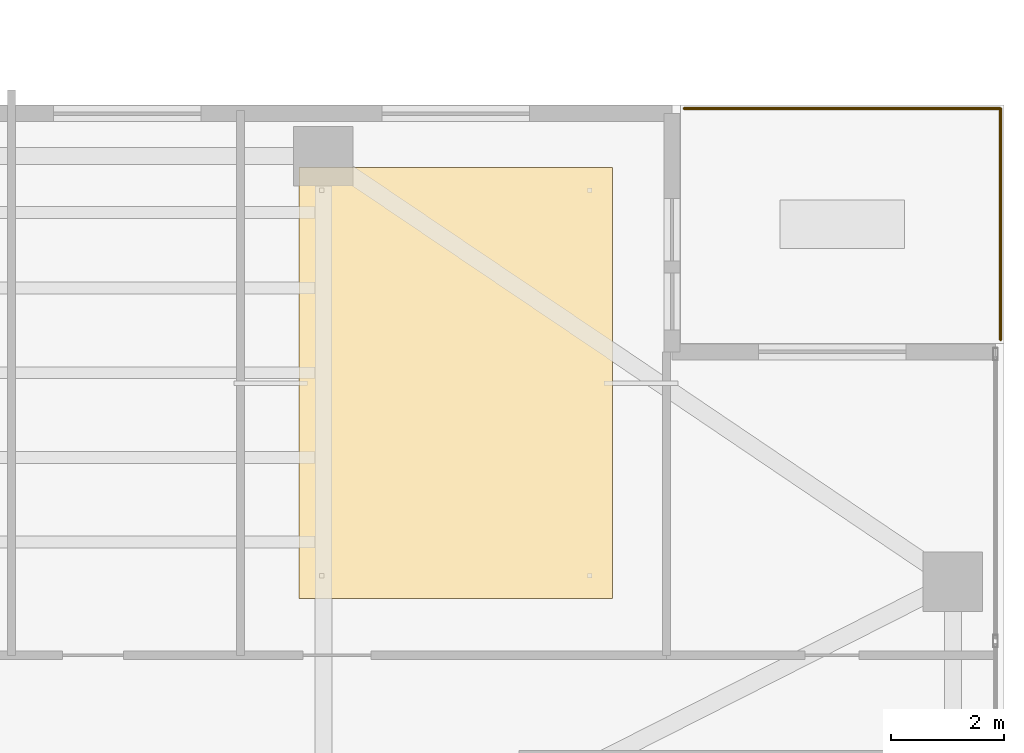
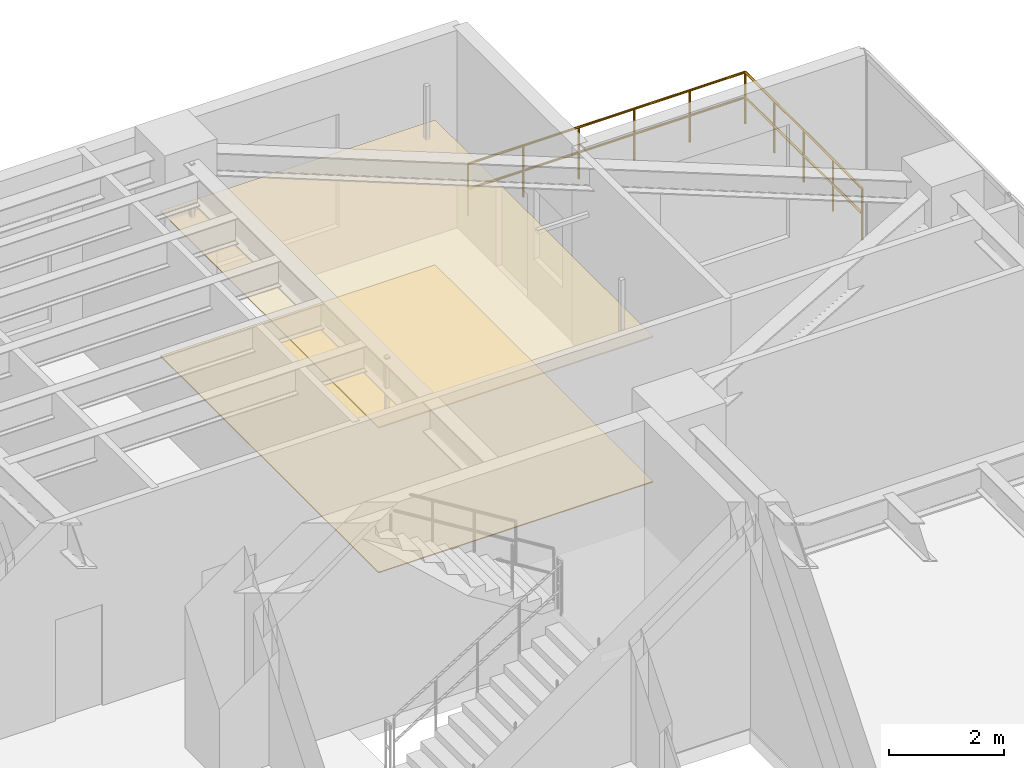
# One storey, part 38 of 38: 2 coverings, 2 railings.
"""IFC4 building model written with IfcOpenShell, lengths in metres."""

import ifcopenshell
import ifcopenshell.guid

model = None  # the IFC model being written
_history = None  # IfcOwnerHistory: only IFC2X3 demands one
_inside = {}  # id of a spatial element -> (the spatial element, [elements in it])
_under = {}  # id of a project, library or spatial element -> (it, [spatial elements below it])
_declared = {}  # id of a project -> (the project, [libraries it declares])
_typed = {}  # id of a type object -> (the type object, [elements of that type])
_made_of = {}  # id of a material, layer set ... -> (it, [elements and type objects made of it])


def new_model(schema):
    """Start an empty IFC model of exactly this schema.

    Asked for "IFC4X3", IfcOpenShell would pick the latest addendum, in which some entities
    have other attributes; the version numbers below select the first issue.
    IFC2X3 requires an IfcOwnerHistory on every rooted entity: one is made here for all.
    """
    global model, _history
    if schema == "IFC4X3":
        model = ifcopenshell.file(schema_version=(4, 3, 0, 0))
    else:
        model = ifcopenshell.file(schema=schema)
    _inside.clear()
    _under.clear()
    _declared.clear()
    _typed.clear()
    _made_of.clear()
    _history = None
    if model.schema == "IFC2X3":
        org = make("IfcOrganization", Name="unknown")
        user = make(
            "IfcPersonAndOrganization",
            ThePerson=make("IfcPerson", FamilyName="unknown"),
            TheOrganization=org,
        )
        app = make(
            "IfcApplication",
            ApplicationDeveloper=org,
            Version="unknown",
            ApplicationFullName="unknown",
            ApplicationIdentifier="unknown",
        )
        _history = make(
            "IfcOwnerHistory",
            OwningUser=user,
            OwningApplication=app,
            ChangeAction="ADDED",
            CreationDate=0,
        )
    return model


def make(cls, **values):
    """One entity of the class cls with the attributes given. An attribute that is None is left unset."""
    return model.create_entity(
        cls, **{name: value for name, value in values.items() if value is not None}
    )


def rooted(cls, **values):
    """An entity with a GlobalId (a new one), such as an element, a storey or a relation."""
    return make(cls, GlobalId=ifcopenshell.guid.new(), OwnerHistory=_history, **values)


def si_unit(unit_type, name, prefix=None):
    """IfcSIUnit, for example si_unit("LENGTHUNIT", "METRE", prefix="MILLI")."""
    return make("IfcSIUnit", UnitType=unit_type, Prefix=prefix, Name=name)


def assignment(units):
    """IfcUnitAssignment: the units of a project."""
    return None if units is None else make("IfcUnitAssignment", Units=units)


def point(xyz):
    """IfcCartesianPoint."""
    return None if xyz is None else make("IfcCartesianPoint", Coordinates=xyz)


def direction(xyz):
    """IfcDirection."""
    return None if xyz is None else make("IfcDirection", DirectionRatios=xyz)


def frame(location, z_axis=None, x_axis=None):
    """IfcAxis2Placement3D, a coordinate frame: its origin and axes. An axis left out is left unset."""
    return make(
        "IfcAxis2Placement3D",
        Location=point(location),
        Axis=direction(z_axis),
        RefDirection=direction(x_axis),
    )


def frame_2d(location, x_axis=None):
    """IfcAxis2Placement2D, a coordinate frame in the plane: its origin and x axis."""
    return make(
        "IfcAxis2Placement2D", Location=point(location), RefDirection=direction(x_axis)
    )


def origin():
    """The frame at (0, 0, 0) with its axes left unset."""
    return frame((0.0, 0.0, 0.0))


def origin_2d():
    """The frame at (0, 0) in the plane with its x axis left unset."""
    return frame_2d((0.0, 0.0))


def place(relative_to, where):
    """IfcLocalPlacement: puts the frame where relative to a parent placement (None: the world)."""
    return make(
        "IfcLocalPlacement", PlacementRelTo=relative_to, RelativePlacement=where
    )


def context(
    kind, dimensions, precision=None, world=None, true_north=None, identifier=None
):
    """IfcGeometricRepresentationContext, for example the 3D "Model" context."""
    return make(
        "IfcGeometricRepresentationContext",
        ContextIdentifier=identifier,
        ContextType=kind,
        CoordinateSpaceDimension=dimensions,
        Precision=precision,
        WorldCoordinateSystem=world,
        TrueNorth=true_north,
    )


def subcontext(parent, identifier, kind, view, scale=None):
    """IfcGeometricRepresentationSubContext, for example "Body" below "Model"."""
    return make(
        "IfcGeometricRepresentationSubContext",
        ContextIdentifier=identifier,
        ContextType=kind,
        ParentContext=parent,
        TargetScale=scale,
        TargetView=view,
    )


def project(units=None, contexts=None):
    """IfcProject with its units and contexts."""
    return rooted(
        "IfcProject",
        Name="project",
        RepresentationContexts=contexts,
        UnitsInContext=assignment(units),
    )


def spatial(cls, under=None, at=None, **own):
    """A site, building, storey or space (cls), placed at a placement, below another one or the project."""
    s = rooted(cls, ObjectPlacement=at, **own)
    if under is not None:
        _under.setdefault(under.id(), (under, []))[1].append(s)
    return s


def polyline(points):
    """IfcPolyline through the points."""
    return make("IfcPolyline", Points=[point(p) for p in points])


def profile(cls, at=None, kind="AREA", **sizes):
    """A parametric profile (cls). Its sizes go by their IFC names, for example OverallWidth=200.0."""
    return make(cls, ProfileType=kind, Position=at, **sizes)


def circle(**sizes):
    """IfcCircleProfileDef."""
    return profile("IfcCircleProfileDef", **sizes)


def outline(outer, holes=None, kind="AREA"):
    """IfcArbitraryClosedProfileDef: a profile drawn as a closed curve; with holes, ...WithVoids."""
    if holes is None:
        return make("IfcArbitraryClosedProfileDef", ProfileType=kind, OuterCurve=outer)
    return make(
        "IfcArbitraryProfileDefWithVoids",
        ProfileType=kind,
        OuterCurve=outer,
        InnerCurves=holes,
    )


def extrude(swept, where, along, depth):
    """IfcExtrudedAreaSolid: the profile swept, set in the frame where, extruded along a direction by depth."""
    return make(
        "IfcExtrudedAreaSolid",
        SweptArea=swept,
        Position=where,
        ExtrudedDirection=direction(along),
        Depth=depth,
    )


def shape(context_of_items, identifier, shape_type, items):
    """IfcShapeRepresentation: the items that make up one representation, for example the "Body"."""
    return make(
        "IfcShapeRepresentation",
        ContextOfItems=context_of_items,
        RepresentationIdentifier=identifier,
        RepresentationType=shape_type,
        Items=items,
    )


def material(Name=None, Category=None):
    """IfcMaterial."""
    return make("IfcMaterial", Name=Name, Category=Category)


def layer(
    of_material, thickness, ventilated=None, Name=None, Category=None, Priority=None
):
    """IfcMaterialLayer: one layer of a wall or slab, of a material (None: an air gap)."""
    return make(
        "IfcMaterialLayer",
        Material=of_material,
        LayerThickness=thickness,
        IsVentilated=ventilated,
        Name=Name,
        Category=Category,
        Priority=Priority,
    )


def layer_set(layers, Name=None):
    """IfcMaterialLayerSet."""
    return make("IfcMaterialLayerSet", MaterialLayers=layers, LayerSetName=Name)


def made_of(thing, what):
    """Note that an element or type object is made of a material, layer set ...; save() writes the relation."""
    if what is not None:
        _made_of.setdefault(what.id(), (what, []))[1].append(thing)
    return thing


def type_object(cls, material=None, **own):
    """A type object (cls), such as IfcWallType, which elements share."""
    return made_of(rooted(cls, **own), material)


def element(
    cls,
    number,
    at=None,
    inside=None,
    cuts=None,
    type_object=None,
    material=None,
    context=None,
    identifier="Body",
    shape_type=None,
    held_by="IfcProductDefinitionShape",
    body=None,
    shapes=None,
    **own,
):
    """One element of the class cls, such as IfcWall. Its Tag is "e" and its number.

    at: its placement. inside: the storey or other place that contains it. cuts: it is an
    opening in that element (IfcRelVoidsElement). A single representation is given by context,
    identifier, shape_type and body (its items); several are given by shapes. held_by: the class
    of the entity that holds the representations. save() writes the other relations.
    """
    e = rooted(cls, Tag="e%d" % number, ObjectPlacement=at, **own)
    if body is not None:
        shapes = [shape(context, identifier, shape_type, body)]
    if shapes is not None:
        e.Representation = make(held_by, Representations=shapes)
    if inside is not None:
        _inside.setdefault(inside.id(), (inside, []))[1].append(e)
    if cuts is not None:
        rooted(
            "IfcRelVoidsElement", RelatingBuildingElement=cuts, RelatedOpeningElement=e
        )
    if type_object is not None:
        _typed.setdefault(type_object.id(), (type_object, []))[1].append(e)
    return made_of(e, material)


def aggregate(whole, parts):
    """IfcRelAggregates: a whole, such as a stair, and the parts it consists of."""
    return rooted("IfcRelAggregates", RelatingObject=whole, RelatedObjects=parts)


def save(model, path):
    """Write the relations noted so far, then the file.

    IfcRelAggregates (storeys below a building ...), IfcRelContainedInSpatialStructure (elements
    in a storey), IfcRelDefinesByType, IfcRelAssociatesMaterial and IfcRelDeclares: one each for
    every whole, place, type object, material and project.
    """
    for whole, parts in _under.values():
        aggregate(whole, parts)
    for where, things in _inside.values():
        rooted(
            "IfcRelContainedInSpatialStructure",
            RelatedElements=things,
            RelatingStructure=where,
        )
    for kind, things in _typed.values():
        rooted("IfcRelDefinesByType", RelatedObjects=things, RelatingType=kind)
    for what, things in _made_of.values():
        rooted("IfcRelAssociatesMaterial", RelatedObjects=things, RelatingMaterial=what)
    for by, libraries in _declared.values():
        rooted("IfcRelDeclares", RelatingContext=by, RelatedDefinitions=libraries)
    model.write(path)


model = new_model("IFC4")

# Units and contexts
model_context = context("Model", 3, precision=1e-05, world=origin(), true_north=direction((0.0, 1.0)))
body_context = subcontext(model_context, "Body", "Model", "MODEL_VIEW")
ifc_project = project(units=[si_unit("LENGTHUNIT", "METRE"), si_unit("AREAUNIT", "SQUARE_METRE"), si_unit("VOLUMEUNIT", "CUBIC_METRE"), si_unit("PLANEANGLEUNIT", "RADIAN"), si_unit("MASSUNIT", "GRAM", prefix="KILO")], contexts=[model_context])

# Site, building, storey
site_placement = place(None, origin())
site = spatial("IfcSite", under=ifc_project, at=site_placement, CompositionType="ELEMENT")
building_placement = place(site_placement, origin())
building = spatial("IfcBuilding", under=site, at=building_placement, Name="Tarnavaz Court Tower", CompositionType="ELEMENT")
storey_placement = place(building_placement, frame((0.0, 0.0, 123.0)))
storey = spatial("IfcBuildingStorey", under=building, at=storey_placement, Name="L33", CompositionType="ELEMENT", Elevation=123.0)

# Coverings
ifc_material_1 = material(Name="Perforated Gypsum Acoustic Ceiling Tile", Category="masonry")
ifc_layer_1 = layer(ifc_material_1, 0.02490234375)
ifc_layer_set_1 = layer_set([ifc_layer_1], Name="Perforated Gypsum Acoustic Ceiling Tile")
covering_type_1 = type_object("IfcCoveringType", Name="CV-CEIL-AC", PredefinedType="CEILING", material=ifc_layer_set_1)
covering_1_placement = place(storey_placement, frame((0.0, 0.0, 3.080078125)))
element("IfcCovering", 1, at=covering_1_placement, inside=storey, type_object=covering_type_1, Name="L33 L33 Fitness Studio Suspended Acoustic Ceiling", PredefinedType="CEILING", context=body_context, shape_type="SweptSolid", body=[
    extrude(outline(polyline([(14.572998046875, 13.5), (20.10009765625, 13.5), (20.10009765625, 21.10009765625), (14.572998046875, 21.10009765625), (14.572998046875, 13.5)])), origin(), (0.0, 0.0, 1.0), 0.02490234375),
])
ifc_material_2 = material(Name="Glazed Khorasan Porcelain Floor Tile", Category="masonry")
ifc_layer_2 = layer(ifc_material_2, 0.02001953125)
ifc_layer_set_2 = layer_set([ifc_layer_2], Name="Glazed Khorasan Porcelain Floor Tile")
covering_type_2 = type_object("IfcCoveringType", Name="CV-FLR-PORC", PredefinedType="FLOORING", material=ifc_layer_set_2)
covering_2_placement = place(storey_placement, origin())
element("IfcCovering", 2, at=covering_2_placement, inside=storey, type_object=covering_type_2, Name="L33 L33 Fitness Studio Porcelain Floor Finish", PredefinedType="FLOORING", context=body_context, shape_type="SweptSolid", body=[
    extrude(outline(polyline([(14.572998046875, 13.5), (20.10009765625, 13.5), (20.10009765625, 21.10009765625), (14.572998046875, 21.10009765625), (14.572998046875, 13.5)])), origin(), (0.0, 0.0, 1.0), 0.02001953125),
])

# Railings
ifc_material_3 = material(Name="Anodised Aluminium 6063-T6 and Laminated Safety Glass", Category="aluminium")
railing_type = type_object("IfcRailingType", Name="RL-BAL-1120", PredefinedType="BALUSTRADE", material=ifc_material_3)
railing_1_placement = place(storey_placement, frame((26.93994140625, 18.06005859375, 0.0)))
element("IfcRailing", 3, at=railing_1_placement, inside=storey, type_object=railing_type, Name="L33 Terrace 1 E Perimeter Balustrade", PredefinedType="BALUSTRADE", context=body_context, shape_type="SweptSolid", body=[
    extrude(circle(Radius=0.02392578125, at=origin_2d()), frame((0.0, 0.0, 1.09619140625), z_axis=(0.0, 1.0, 0.0), x_axis=(-1.0, 0.0, 0.0)), (0.0, 0.0, 1.0), 4.079833984375),
    extrude(circle(Radius=0.02392578125, at=origin_2d()), frame((0.0, 0.0, 0.56005859375), z_axis=(0.0, 1.0, 0.0), x_axis=(-1.0, 0.0, 0.0)), (0.0, 0.0, 1.0), 4.079833984375),
    extrude(circle(Radius=0.02099609375, at=origin_2d()), origin(), (0.0, 0.0, 1.0), 1.072021484375),
    extrude(circle(Radius=0.02099609375, at=origin_2d()), frame((0.0, 1.02001953125, 0.0)), (0.0, 0.0, 1.0), 1.072021484375),
    extrude(circle(Radius=0.02099609375, at=origin_2d()), frame((0.0, 2.0400390625, 0.0)), (0.0, 0.0, 1.0), 1.072021484375),
    extrude(circle(Radius=0.02099609375, at=origin_2d()), frame((0.0, 3.059814453125, 0.0)), (0.0, 0.0, 1.0), 1.072021484375),
    extrude(circle(Radius=0.02099609375, at=origin_2d()), frame((0.0, 4.079833984375, 0.0)), (0.0, 0.0, 1.0), 1.072021484375),
])
railing_2_placement = place(storey_placement, frame((26.93994140625, 22.139892578125, 0.0)))
element("IfcRailing", 4, at=railing_2_placement, inside=storey, type_object=railing_type, Name="L33 Terrace 1 N Perimeter Balustrade", PredefinedType="BALUSTRADE", context=body_context, shape_type="SweptSolid", body=[
    extrude(circle(Radius=0.02392578125, at=origin_2d()), frame((0.0, 0.0, 1.09619140625), z_axis=(-1.0, 0.0, 0.0), x_axis=(0.0, -1.0, 0.0)), (0.0, 0.0, 1.0), 5.579833984375),
    extrude(circle(Radius=0.02392578125, at=origin_2d()), frame((0.0, 0.0, 0.56005859375), z_axis=(-1.0, 0.0, 0.0), x_axis=(0.0, -1.0, 0.0)), (0.0, 0.0, 1.0), 5.579833984375),
    extrude(circle(Radius=0.02099609375, at=origin_2d()), origin(), (0.0, 0.0, 1.0), 1.072021484375),
    extrude(circle(Radius=0.02099609375, at=origin_2d()), frame((-1.115966796875, 0.0, 0.0)), (0.0, 0.0, 1.0), 1.072021484375),
    extrude(circle(Radius=0.02099609375, at=origin_2d()), frame((-2.23193359375, 0.0, 0.0)), (0.0, 0.0, 1.0), 1.072021484375),
    extrude(circle(Radius=0.02099609375, at=origin_2d()), frame((-3.347900390625, 0.0, 0.0)), (0.0, 0.0, 1.0), 1.072021484375),
    extrude(circle(Radius=0.02099609375, at=origin_2d()), frame((-4.4638671875, 0.0, 0.0)), (0.0, 0.0, 1.0), 1.072021484375),
    extrude(circle(Radius=0.02099609375, at=origin_2d()), frame((-5.579833984375, 0.0, 0.0)), (0.0, 0.0, 1.0), 1.072021484375),
])

save(model, "model.ifc")
